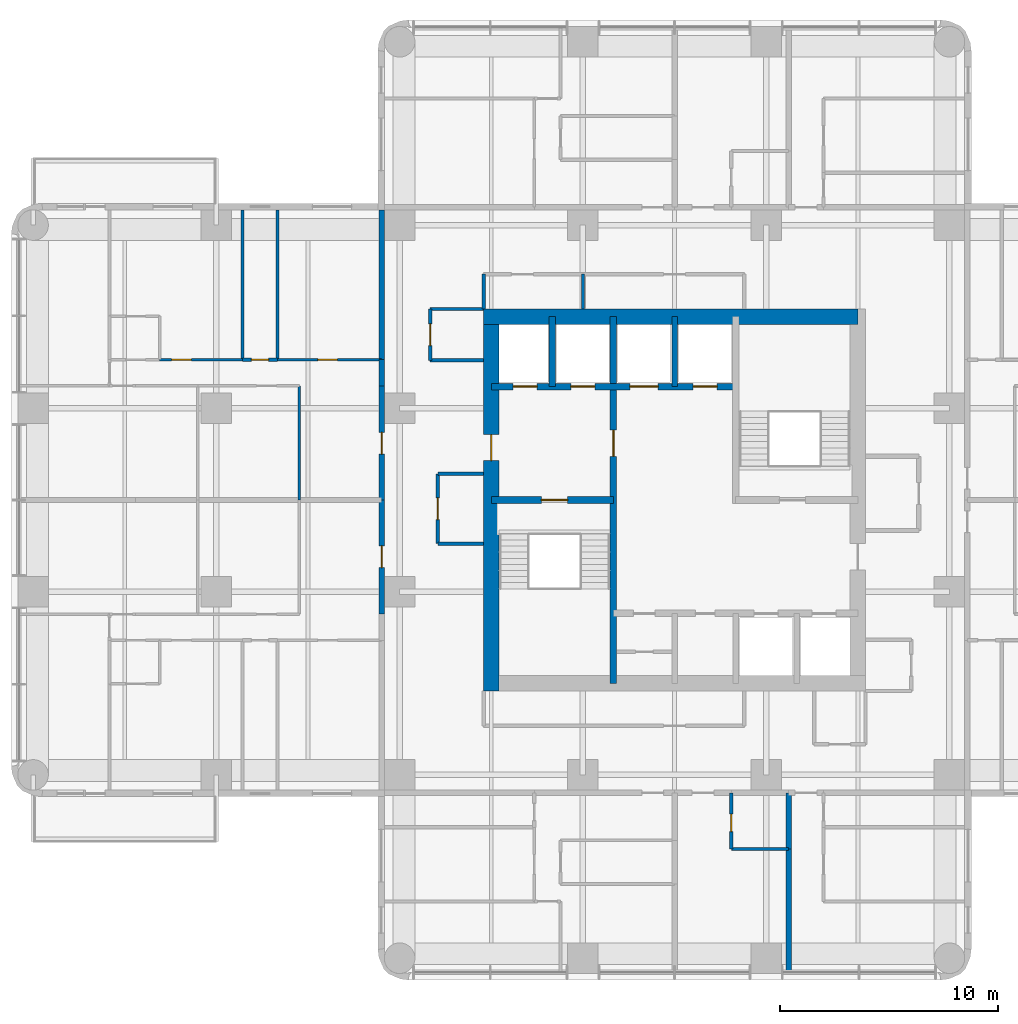
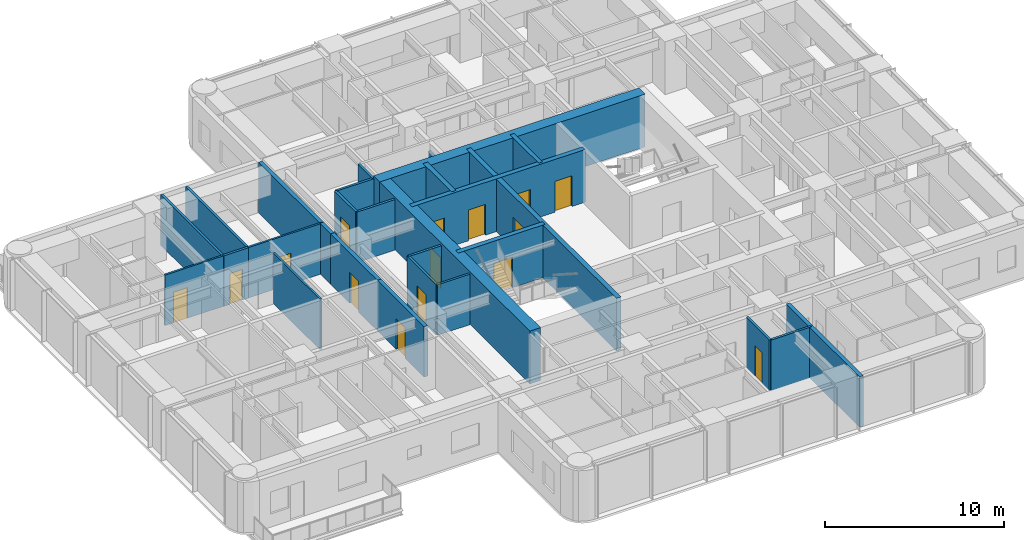
# One storey, part 6 of 11: 29 walls, 15 doors, 15 openings.
"""IFC4 building model written with IfcOpenShell, lengths in metres."""

from ifc_helpers import new_model, si_unit, direction, frame, frame_2d, origin, place, context, subcontext, project, spatial, rectangle, extrude, material, layer, layer_set, type_object, element, fill, save


model = new_model("IFC4")

# Units and contexts
model_context = context("Model", 3, precision=1e-05, world=origin(), true_north=direction((0.0, 1.0)))
body_context = subcontext(model_context, "Body", "Model", "MODEL_VIEW")
ifc_project = project(units=[si_unit("LENGTHUNIT", "METRE"), si_unit("AREAUNIT", "SQUARE_METRE"), si_unit("VOLUMEUNIT", "CUBIC_METRE"), si_unit("PLANEANGLEUNIT", "RADIAN"), si_unit("MASSUNIT", "GRAM", prefix="KILO")], contexts=[model_context])

# Site, building, storey
site_placement = place(None, origin())
site = spatial("IfcSite", under=ifc_project, at=site_placement, CompositionType="ELEMENT")
building_placement = place(site_placement, origin())
building = spatial("IfcBuilding", under=site, at=building_placement, Name="Torre Alcanfor", CompositionType="ELEMENT")
storey_placement = place(building_placement, frame((0.0, 0.0, 204.89990234375)))
storey = spatial("IfcBuildingStorey", under=building, at=storey_placement, Name="L53", CompositionType="ELEMENT", Elevation=204.89990234375)

# Wall, opening, door
ifc_material_1 = material(Name="Concrete block masonry, hollow blocks NMX-C-404 9 MPa", Category="masonry")
ifc_layer_1 = layer(ifc_material_1, 0.25)
ifc_layer_set_1 = layer_set([ifc_layer_1], Name="Apartment entrance wall 250 EI 60")
wall_type_1 = type_object("IfcWallType", Name="Apartment entrance wall 250 EI 60", PredefinedType="PARTITIONING", material=ifc_layer_set_1)
wall_1_placement = place(storey_placement, frame((15.97509765625, 24.1708984375, 0.0), z_axis=(0.0, 0.0, 1.0), x_axis=(0.0, 1.0, 0.0)))
wall_1 = element("IfcWall", 1, at=wall_1_placement, inside=storey, type_object=wall_type_1, Name="Partition L53-CORR / L53-W1-ZAG", PredefinedType="PARTITIONING", context=body_context, shape_type="SweptSolid", body=[
    extrude(rectangle(XDim=5.22900390625, YDim=0.25, at=frame_2d((2.614501953125, 0.0))), origin(), (0.0, 0.0, 1.0), 3.4501953125),
])
opening_1_placement = place(wall_1_placement, frame((2.12890625, 0.0, 0.0)))
opening_1 = element("IfcOpeningElement", 2, at=opening_1_placement, cuts=wall_1, Name="Opening D-A1", PredefinedType="OPENING", context=body_context, shape_type="SweptSolid", body=[
    extrude(rectangle(XDim=1.0, YDim=2.10009765625, at=frame_2d((0.5, 1.050048828125))), frame((0.0, 0.135009765625, 0.0), z_axis=(0.0, -1.0, 0.0), x_axis=(1.0, 0.0, 0.0)), (0.0, 0.0, 1.0), 0.27001953125),
])
ifc_material_2 = material(Name="Galvanised steel sheet ASTM A653", Category="steel")
door_type_1 = type_object("IfcDoorType", Name="Apartment entrance door FD60 1000x2100", OperationType="SINGLE_SWING_LEFT", PredefinedType="DOOR", material=ifc_material_2)
door_1_placement = place(opening_1_placement, origin())
door_1 = element("IfcDoor", 3, at=door_1_placement, inside=storey, type_object=door_type_1, Name="Apartment entrance L53-W1", OperationType="SINGLE_SWING_RIGHT", OverallHeight=2.10009765625, OverallWidth=1.0, PredefinedType="DOOR", context=body_context, shape_type="SweptSolid", body=[
    extrude(rectangle(XDim=1.0, YDim=2.10009765625, at=frame_2d((0.5, 1.050048828125))), frame((0.0, 0.02490234375, 0.0), z_axis=(0.0, -1.0, 0.0), x_axis=(1.0, 0.0, 0.0)), (0.0, 0.0, 1.0), 0.050048828125),
])
fill(opening_1, door_1)

wall_2_placement = place(storey_placement, frame((15.97509765625, 29.39990234375, 0.0), z_axis=(0.0, 0.0, 1.0), x_axis=(0.0, 1.0, 0.0)))
wall_2 = element("IfcWall", 4, at=wall_2_placement, inside=storey, type_object=wall_type_1, Name="Partition L53-CORR / L53-W2-ZAG", PredefinedType="PARTITIONING", context=body_context, shape_type="SweptSolid", body=[
    extrude(rectangle(XDim=5.22900390625, YDim=0.25, at=frame_2d((2.614501953125, 0.0))), origin(), (0.0, 0.0, 1.0), 3.4501953125),
])
opening_2_placement = place(wall_2_placement, frame((2.10009765625, 0.0, 0.0)))
opening_2 = element("IfcOpeningElement", 5, at=opening_2_placement, cuts=wall_2, Name="Opening D-A1", PredefinedType="OPENING", context=body_context, shape_type="SweptSolid", body=[
    extrude(rectangle(XDim=1.0, YDim=2.10009765625, at=frame_2d((0.5, 1.050048828125))), frame((0.0, 0.135009765625, 0.0), z_axis=(0.0, -1.0, 0.0), x_axis=(1.0, 0.0, 0.0)), (0.0, 0.0, 1.0), 0.27001953125),
])
door_2_placement = place(opening_2_placement, origin())
door_2 = element("IfcDoor", 6, at=door_2_placement, inside=storey, type_object=door_type_1, Name="Apartment entrance L53-W2", OperationType="SINGLE_SWING_LEFT", OverallHeight=2.10009765625, OverallWidth=1.0, PredefinedType="DOOR", context=body_context, shape_type="SweptSolid", body=[
    extrude(rectangle(XDim=1.0, YDim=2.10009765625, at=frame_2d((0.5, 1.050048828125))), frame((0.0, 0.02490234375, 0.0), z_axis=(0.0, -1.0, 0.0), x_axis=(1.0, 0.0, 0.0)), (0.0, 0.0, 1.0), 0.050048828125),
])
fill(opening_2, door_2)

# Walls
wall_3_placement = place(storey_placement, frame((15.97509765625, 34.62890625, 0.0), z_axis=(0.0, 0.0, 1.0), x_axis=(0.0, 1.0, 0.0)))
element("IfcWall", 7, at=wall_3_placement, inside=storey, type_object=wall_type_1, Name="Partition L53-CORR / L53-W2-HALL", PredefinedType="PARTITIONING", context=body_context, shape_type="SweptSolid", body=[
    extrude(rectangle(XDim=1.2001953125, YDim=0.25, at=frame_2d((0.60009765625, 0.0))), origin(), (0.0, 0.0, 1.0), 3.4501953125),
])
wall_4_placement = place(storey_placement, frame((15.97509765625, 35.8291015625, 0.0), z_axis=(0.0, 0.0, 1.0), x_axis=(0.0, 1.0, 0.0)))
element("IfcWall", 8, at=wall_4_placement, inside=storey, type_object=wall_type_1, Name="Partition L53-CORR / L53-W2-BED2", PredefinedType="PARTITIONING", context=body_context, shape_type="SweptSolid", body=[
    extrude(rectangle(XDim=6.870849609375, YDim=0.25, at=frame_2d((3.435546875, 0.0))), origin(), (0.0, 0.0, 1.0), 3.4501953125),
])
ifc_material_3 = material(Name="Gypsum board on steel studs", Category="steel")
ifc_layer_2 = layer(ifc_material_3, 0.1201171875)
ifc_layer_set_2 = layer_set([ifc_layer_2], Name="Apartment partition 120")
wall_type_2 = type_object("IfcWallType", Name="Apartment partition 120", PredefinedType="PARTITIONING", material=ifc_layer_set_2)
wall_5_placement = place(storey_placement, frame((12.199951171875, 29.39990234375, 0.0), z_axis=(0.0, 0.0, 1.0), x_axis=(0.0, 1.0, 0.0)))
element("IfcWall", 9, at=wall_5_placement, inside=storey, type_object=wall_type_2, Name="Partition L53-W2-ZAG / L53-W2-FAMILY", PredefinedType="PARTITIONING", context=body_context, shape_type="SweptSolid", body=[
    extrude(rectangle(XDim=5.22900390625, YDim=0.1201171875, at=frame_2d((2.614501953125, 0.0))), origin(), (0.0, 0.0, 1.0), 3.4501953125),
])

# Wall, opening, door
wall_6_placement = place(storey_placement, frame((11.199951171875, 35.8291015625, 0.0), z_axis=(0.0, 0.0, 1.0), x_axis=(1.0, 0.0, 0.0)))
wall_6 = element("IfcWall", 10, at=wall_6_placement, inside=storey, type_object=wall_type_2, Name="Partition L53-W2-HALL / L53-W2-BED2", PredefinedType="PARTITIONING", context=body_context, shape_type="SweptSolid", body=[
    extrude(rectangle(XDim=4.775146484375, YDim=0.1201171875, at=frame_2d((2.3876953125, 0.0))), origin(), (0.0, 0.0, 1.0), 3.4501953125),
])
opening_3_placement = place(wall_6_placement, frame((1.85009765625, 0.0, 0.0)))
opening_3 = element("IfcOpeningElement", 11, at=opening_3_placement, cuts=wall_6, Name="Opening D-R1", PredefinedType="OPENING", context=body_context, shape_type="SweptSolid", body=[
    extrude(rectangle(XDim=0.89990234375, YDim=2.10009765625, at=frame_2d((0.449951171875, 1.050048828125))), frame((0.0, 0.070068359375, 0.0), z_axis=(0.0, -1.0, 0.0), x_axis=(1.0, 0.0, 0.0)), (0.0, 0.0, 1.0), 0.14013671875),
])
ifc_material_4 = material(Name="Timber", Category="wood")
door_type_2 = type_object("IfcDoorType", Name="Internal door 900x2100", OperationType="SINGLE_SWING_LEFT", PredefinedType="DOOR", material=ifc_material_4)
door_3_placement = place(opening_3_placement, origin())
door_3 = element("IfcDoor", 12, at=door_3_placement, inside=storey, type_object=door_type_2, Name="Door L53-W2 bed2", OperationType="SINGLE_SWING_LEFT", OverallHeight=2.10009765625, OverallWidth=0.89990234375, PredefinedType="DOOR", context=body_context, shape_type="SweptSolid", body=[
    extrude(rectangle(XDim=0.89990234375, YDim=2.10009765625, at=frame_2d((0.449951171875, 1.050048828125))), frame((0.0, 0.02490234375, 0.0), z_axis=(0.0, -1.0, 0.0), x_axis=(1.0, 0.0, 0.0)), (0.0, 0.0, 1.0), 0.050048828125),
])
fill(opening_3, door_3)

wall_7_placement = place(storey_placement, frame((5.800048828125, 35.8291015625, 0.0), z_axis=(0.0, 0.0, 1.0), x_axis=(1.0, 0.0, 0.0)))
wall_7 = element("IfcWall", 13, at=wall_7_placement, inside=storey, type_object=wall_type_2, Name="Partition L53-W2-HALL / L53-W2-MASTER", PredefinedType="PARTITIONING", context=body_context, shape_type="SweptSolid", body=[
    extrude(rectangle(XDim=3.800048828125, YDim=0.1201171875, at=frame_2d((1.89990234375, 0.0))), origin(), (0.0, 0.0, 1.0), 3.4501953125),
])
opening_4_placement = place(wall_7_placement, frame((0.550048828125, 0.0, 0.0)))
opening_4 = element("IfcOpeningElement", 14, at=opening_4_placement, cuts=wall_7, Name="Opening D-R1", PredefinedType="OPENING", context=body_context, shape_type="SweptSolid", body=[
    extrude(rectangle(XDim=0.89990234375, YDim=2.10009765625, at=frame_2d((0.449951171875, 1.050048828125))), frame((0.0, 0.070068359375, 0.0), z_axis=(0.0, -1.0, 0.0), x_axis=(1.0, 0.0, 0.0)), (0.0, 0.0, 1.0), 0.14013671875),
])
door_4_placement = place(opening_4_placement, origin())
door_4 = element("IfcDoor", 15, at=door_4_placement, inside=storey, type_object=door_type_2, Name="Door L53-W2 master", OperationType="SINGLE_SWING_LEFT", OverallHeight=2.10009765625, OverallWidth=0.89990234375, PredefinedType="DOOR", context=body_context, shape_type="SweptSolid", body=[
    extrude(rectangle(XDim=0.89990234375, YDim=2.10009765625, at=frame_2d((0.449951171875, 1.050048828125))), frame((0.0, 0.02490234375, 0.0), z_axis=(0.0, -1.0, 0.0), x_axis=(1.0, 0.0, 0.0)), (0.0, 0.0, 1.0), 0.050048828125),
])
fill(opening_4, door_4)

ifc_material_5 = material(Name="Concrete f'c 70 MPa", Category="concrete")
ifc_layer_3 = layer(ifc_material_5, 0.300048828125)
ifc_layer_set_3 = layer_set([ifc_layer_3], Name="Core inner wall 300 f'c70")
wall_type_3 = type_object("IfcWallType", Name="Core inner wall 300 f'c70", PredefinedType="SHEAR", material=ifc_layer_set_3)
wall_8_placement = place(storey_placement, frame((26.60009765625, 21.0, 0.0), z_axis=(0.0, 0.0, 1.0), x_axis=(0.0, 1.0, 0.0)))
wall_8 = element("IfcWall", 16, at=wall_8_placement, inside=storey, type_object=wall_type_3, Name="Core wall X266 L53", PredefinedType="SHEAR", context=body_context, shape_type="SweptSolid", body=[
    extrude(rectangle(XDim=16.800048828125, YDim=0.300048828125, at=frame_2d((8.39990234375, 0.0))), origin(), (0.0, 0.0, 1.0), 3.60009765625),
])
opening_5_placement = place(wall_8_placement, frame((10.39990234375, 0.0, 0.0)))
opening_5 = element("IfcOpeningElement", 17, at=opening_5_placement, cuts=wall_8, Name="Opening D-L1", PredefinedType="OPENING", context=body_context, shape_type="SweptSolid", body=[
    extrude(rectangle(XDim=1.199951171875, YDim=2.10009765625, at=frame_2d((0.60009765625, 1.050048828125))), frame((0.0, 0.159912109375, 0.0), z_axis=(0.0, -1.0, 0.0), x_axis=(1.0, 0.0, 0.0)), (0.0, 0.0, 1.0), 0.320068359375),
])
ifc_material_6 = material(Name="Galvanised steel sheet ASTM A653", Category="steel")
door_type_3 = type_object("IfcDoorType", Name="Lobby door FD120 1200x2100", OperationType="SINGLE_SWING_LEFT", PredefinedType="DOOR", material=ifc_material_6)
door_5_placement = place(opening_5_placement, origin())
door_5 = element("IfcDoor", 18, at=door_5_placement, inside=storey, type_object=door_type_3, Name="Lift lobby door L53", OperationType="SINGLE_SWING_LEFT", OverallHeight=2.10009765625, OverallWidth=1.199951171875, PredefinedType="DOOR", context=body_context, shape_type="SweptSolid", body=[
    extrude(rectangle(XDim=1.199951171875, YDim=2.10009765625, at=frame_2d((0.60009765625, 1.050048828125))), frame((0.0, 0.02490234375, 0.0), z_axis=(0.0, -1.0, 0.0), x_axis=(1.0, 0.0, 0.0)), (0.0, 0.0, 1.0), 0.050048828125),
])
fill(opening_5, door_5)

wall_9_placement = place(storey_placement, frame((21.0, 29.39990234375, 0.0), z_axis=(0.0, 0.0, 1.0), x_axis=(1.0, 0.0, 0.0)))
wall_9 = element("IfcWall", 19, at=wall_9_placement, inside=storey, type_object=wall_type_3, Name="Core wall Y294W L53", PredefinedType="SHEAR", context=body_context, shape_type="SweptSolid", body=[
    extrude(rectangle(XDim=5.60009765625, YDim=0.300048828125, at=frame_2d((2.800048828125, 0.0))), origin(), (0.0, 0.0, 1.0), 3.60009765625),
])
opening_6_placement = place(wall_9_placement, frame((2.300048828125, 0.0, 0.0)))
opening_6 = element("IfcOpeningElement", 20, at=opening_6_placement, cuts=wall_9, Name="Opening D-S2", PredefinedType="OPENING", context=body_context, shape_type="SweptSolid", body=[
    extrude(rectangle(XDim=1.199951171875, YDim=2.10009765625, at=frame_2d((0.60009765625, 1.050048828125))), frame((0.0, 0.159912109375, 0.0), z_axis=(0.0, -1.0, 0.0), x_axis=(1.0, 0.0, 0.0)), (0.0, 0.0, 1.0), 0.320068359375),
])
ifc_material_7 = material(Name="Galvanised steel sheet ASTM A653", Category="steel")
door_type_4 = type_object("IfcDoorType", Name="Stair enclosure door FD120 1200x2100", OperationType="SINGLE_SWING_LEFT", PredefinedType="DOOR", material=ifc_material_7)
door_6_placement = place(opening_6_placement, frame((1.199951171875, 0.0, 0.0), z_axis=(0.0, 0.0, 1.0), x_axis=(-1.0, 0.0, 0.0)))
door_6 = element("IfcDoor", 21, at=door_6_placement, inside=storey, type_object=door_type_4, Name="Stair S1 door L53", OperationType="SINGLE_SWING_LEFT", OverallHeight=2.10009765625, OverallWidth=1.199951171875, PredefinedType="DOOR", context=body_context, shape_type="SweptSolid", body=[
    extrude(rectangle(XDim=1.199951171875, YDim=2.10009765625, at=frame_2d((0.599853515625, 1.050048828125))), frame((0.0, 0.025146484375, 0.0), z_axis=(0.0, -1.0, 0.0), x_axis=(1.0, 0.0, 0.0)), (0.0, 0.0, 1.0), 0.050048828125),
])
fill(opening_6, door_6)

# Wall, openings, doors
wall_10_placement = place(storey_placement, frame((21.0, 34.60009765625, 0.0), z_axis=(0.0, 0.0, 1.0), x_axis=(1.0, 0.0, 0.0)))
wall_10 = element("IfcWall", 22, at=wall_10_placement, inside=storey, type_object=wall_type_3, Name="Core wall Y346 L53", PredefinedType="SHEAR", context=body_context, shape_type="SweptSolid", body=[
    extrude(rectangle(XDim=11.199951171875, YDim=0.300048828125, at=frame_2d((5.60009765625, 0.0))), origin(), (0.0, 0.0, 1.0), 3.60009765625),
])
opening_7_placement = place(wall_10_placement, frame((9.25, 0.0, 0.0)))
opening_7 = element("IfcOpeningElement", 23, at=opening_7_placement, cuts=wall_10, Name="Opening LD1", PredefinedType="OPENING", context=body_context, shape_type="SweptSolid", body=[
    extrude(rectangle(XDim=1.10009765625, YDim=2.10009765625, at=frame_2d((0.550048828125, 1.050048828125))), frame((0.0, 0.159912109375, 0.0), z_axis=(0.0, -1.0, 0.0), x_axis=(1.0, 0.0, 0.0)), (0.0, 0.0, 1.0), 0.320068359375),
])
opening_8_placement = place(wall_10_placement, frame((1.0, 0.0, 0.0)))
opening_8 = element("IfcOpeningElement", 24, at=opening_8_placement, cuts=wall_10, Name="Opening LD2", PredefinedType="OPENING", context=body_context, shape_type="SweptSolid", body=[
    extrude(rectangle(XDim=1.10009765625, YDim=2.10009765625, at=frame_2d((0.550048828125, 1.050048828125))), frame((0.0, 0.159912109375, 0.0), z_axis=(0.0, -1.0, 0.0), x_axis=(1.0, 0.0, 0.0)), (0.0, 0.0, 1.0), 0.320068359375),
])
opening_9_placement = place(wall_10_placement, frame((3.64990234375, 0.0, 0.0)))
opening_9 = element("IfcOpeningElement", 25, at=opening_9_placement, cuts=wall_10, Name="Opening LD2", PredefinedType="OPENING", context=body_context, shape_type="SweptSolid", body=[
    extrude(rectangle(XDim=1.10009765625, YDim=2.10009765625, at=frame_2d((0.550048828125, 1.050048828125))), frame((0.0, 0.159912109375, 0.0), z_axis=(0.0, -1.0, 0.0), x_axis=(1.0, 0.0, 0.0)), (0.0, 0.0, 1.0), 0.320068359375),
])
opening_10_placement = place(wall_10_placement, frame((6.35009765625, 0.0, 0.0)))
opening_10 = element("IfcOpeningElement", 26, at=opening_10_placement, cuts=wall_10, Name="Opening LD3", PredefinedType="OPENING", context=body_context, shape_type="SweptSolid", body=[
    extrude(rectangle(XDim=1.300048828125, YDim=2.10009765625, at=frame_2d((0.64990234375, 1.050048828125))), frame((0.0, 0.159912109375, 0.0), z_axis=(0.0, -1.0, 0.0), x_axis=(1.0, 0.0, 0.0)), (0.0, 0.0, 1.0), 0.320068359375),
])
ifc_material_8 = material(Name="Galvanised steel sheet ASTM A653", Category="steel")
door_type_5 = type_object("IfcDoorType", Name="Firefighting lift landing door 1100x2100", OperationType="DOUBLE_DOOR_SLIDING", PredefinedType="DOOR", material=ifc_material_8)
door_7_placement = place(opening_8_placement, origin())
door_7 = element("IfcDoor", 27, at=door_7_placement, inside=storey, type_object=door_type_5, Name="Lift landing door FL1 L53", OperationType="DOUBLE_DOOR_SLIDING", OverallHeight=2.10009765625, OverallWidth=1.10009765625, PredefinedType="DOOR", context=body_context, shape_type="SweptSolid", body=[
    extrude(rectangle(XDim=1.10009765625, YDim=2.10009765625, at=frame_2d((0.550048828125, 1.050048828125))), frame((0.0, 0.02490234375, 0.0), z_axis=(0.0, -1.0, 0.0), x_axis=(1.0, 0.0, 0.0)), (0.0, 0.0, 1.0), 0.050048828125),
])
fill(opening_8, door_7)
door_8_placement = place(opening_9_placement, origin())
door_8 = element("IfcDoor", 28, at=door_8_placement, inside=storey, type_object=door_type_5, Name="Lift landing door FL2 L53", OperationType="DOUBLE_DOOR_SLIDING", OverallHeight=2.10009765625, OverallWidth=1.10009765625, PredefinedType="DOOR", context=body_context, shape_type="SweptSolid", body=[
    extrude(rectangle(XDim=1.10009765625, YDim=2.10009765625, at=frame_2d((0.550048828125, 1.050048828125))), frame((0.0, 0.02490234375, 0.0), z_axis=(0.0, -1.0, 0.0), x_axis=(1.0, 0.0, 0.0)), (0.0, 0.0, 1.0), 0.050048828125),
])
fill(opening_9, door_8)
ifc_material_9 = material(Name="Galvanised steel sheet ASTM A653", Category="steel")
door_type_6 = type_object("IfcDoorType", Name="Lift landing door 1100x2100", OperationType="DOUBLE_DOOR_SLIDING", PredefinedType="DOOR", material=ifc_material_9)
door_9_placement = place(opening_7_placement, origin())
door_9 = element("IfcDoor", 29, at=door_9_placement, inside=storey, type_object=door_type_6, Name="Lift landing door PA5 L53", OperationType="DOUBLE_DOOR_SLIDING", OverallHeight=2.10009765625, OverallWidth=1.10009765625, PredefinedType="DOOR", context=body_context, shape_type="SweptSolid", body=[
    extrude(rectangle(XDim=1.10009765625, YDim=2.10009765625, at=frame_2d((0.550048828125, 1.050048828125))), frame((0.0, 0.02490234375, 0.0), z_axis=(0.0, -1.0, 0.0), x_axis=(1.0, 0.0, 0.0)), (0.0, 0.0, 1.0), 0.050048828125),
])
fill(opening_7, door_9)
ifc_material_10 = material(Name="Galvanised steel sheet ASTM A653", Category="steel")
door_type_7 = type_object("IfcDoorType", Name="Service lift landing door 1300x2100", OperationType="DOUBLE_DOOR_SLIDING", PredefinedType="DOOR", material=ifc_material_10)
door_10_placement = place(opening_10_placement, origin())
door_10 = element("IfcDoor", 30, at=door_10_placement, inside=storey, type_object=door_type_7, Name="Lift landing door SL1 L53", OperationType="DOUBLE_DOOR_SLIDING", OverallHeight=2.10009765625, OverallWidth=1.300048828125, PredefinedType="DOOR", context=body_context, shape_type="SweptSolid", body=[
    extrude(rectangle(XDim=1.300048828125, YDim=2.10009765625, at=frame_2d((0.64990234375, 1.050048828125))), frame((0.0, 0.02490234375, 0.0), z_axis=(0.0, -1.0, 0.0), x_axis=(1.0, 0.0, 0.0)), (0.0, 0.0, 1.0), 0.050048828125),
])
fill(opening_10, door_10)

# Walls
wall_11_placement = place(storey_placement, frame((23.800048828125, 34.60009765625, 0.0), z_axis=(0.0, 0.0, 1.0), x_axis=(0.0, 1.0, 0.0)))
element("IfcWall", 31, at=wall_11_placement, inside=storey, type_object=wall_type_3, Name="Core wall X238 L53", PredefinedType="SHEAR", context=body_context, shape_type="SweptSolid", body=[
    extrude(rectangle(XDim=3.199951171875, YDim=0.300048828125, at=frame_2d((1.60009765625, 0.0))), origin(), (0.0, 0.0, 1.0), 3.60009765625),
])
ifc_material_11 = material(Name="Concrete f'c 70 MPa", Category="concrete")
ifc_layer_4 = layer(ifc_material_11, 0.25)
ifc_layer_set_4 = layer_set([ifc_layer_4], Name="Core shaft wall 250 f'c70")
wall_type_4 = type_object("IfcWallType", Name="Core shaft wall 250 f'c70", PredefinedType="SHEAR", material=ifc_layer_set_4)
wall_12_placement = place(storey_placement, frame((29.39990234375, 34.60009765625, 0.0), z_axis=(0.0, 0.0, 1.0), x_axis=(0.0, 1.0, 0.0)))
element("IfcWall", 32, at=wall_12_placement, inside=storey, type_object=wall_type_4, Name="Core wall X294N L53", PredefinedType="SHEAR", context=body_context, shape_type="SweptSolid", body=[
    extrude(rectangle(XDim=3.199951171875, YDim=0.25, at=frame_2d((1.60009765625, 0.0))), origin(), (0.0, 0.0, 1.0), 3.60009765625),
])
ifc_material_12 = material(Name="Concrete f'c 70 MPa", Category="concrete")
ifc_layer_5 = layer(ifc_material_12, 0.699951171875)
ifc_layer_set_5 = layer_set([ifc_layer_5], Name="Core wall 700 f'c70")
wall_type_5 = type_object("IfcWallType", Name="Core wall 700 f'c70", PredefinedType="SHEAR", material=ifc_layer_set_5)
wall_13_placement = place(storey_placement, frame((37.800048828125, 37.800048828125, 0.0), z_axis=(0.0, 0.0, 1.0), x_axis=(-1.0, 0.0, 0.0)))
element("IfcWall", 33, at=wall_13_placement, inside=storey, type_object=wall_type_5, Name="Core wall OUT-N L53", PredefinedType="SHEAR", context=body_context, shape_type="SweptSolid", body=[
    extrude(rectangle(XDim=17.150146484375, YDim=0.699951171875, at=frame_2d((8.5751953125, 0.0))), origin(), (0.0, 0.0, 1.0), 3.60009765625),
])

# Wall, opening, door
wall_14_placement = place(storey_placement, frame((21.0, 37.800048828125, 0.0), z_axis=(0.0, 0.0, 1.0), x_axis=(0.0, -1.0, 0.0)))
wall_14 = element("IfcWall", 34, at=wall_14_placement, inside=storey, type_object=wall_type_5, Name="Core wall OUT-W L53", PredefinedType="SHEAR", context=body_context, shape_type="SweptSolid", body=[
    extrude(rectangle(XDim=17.150146484375, YDim=0.699951171875, at=frame_2d((8.5751953125, 0.0))), origin(), (0.0, 0.0, 1.0), 3.60009765625),
])
opening_11_placement = place(wall_14_placement, frame((5.39990234375, 0.0, 0.0)))
opening_11 = element("IfcOpeningElement", 35, at=opening_11_placement, cuts=wall_14, Name="Opening D-L1", PredefinedType="OPENING", context=body_context, shape_type="SweptSolid", body=[
    extrude(rectangle(XDim=1.199951171875, YDim=2.10009765625, at=frame_2d((0.60009765625, 1.050048828125))), frame((0.0, 0.35986328125, 0.0), z_axis=(0.0, -1.0, 0.0), x_axis=(1.0, 0.0, 0.0)), (0.0, 0.0, 1.0), 0.719970703125),
])
door_11_placement = place(opening_11_placement, origin())
door_11 = element("IfcDoor", 36, at=door_11_placement, inside=storey, type_object=door_type_3, Name="Firefighting lobby door L53", OperationType="SINGLE_SWING_LEFT", OverallHeight=2.10009765625, OverallWidth=1.199951171875, PredefinedType="DOOR", context=body_context, shape_type="SweptSolid", body=[
    extrude(rectangle(XDim=1.199951171875, YDim=2.10009765625, at=frame_2d((0.60009765625, 1.050048828125))), frame((0.0, 0.02490234375, 0.0), z_axis=(0.0, -1.0, 0.0), x_axis=(1.0, 0.0, 0.0)), (0.0, 0.0, 1.0), 0.050048828125),
])
fill(opening_11, door_11)

# Walls
ifc_material_13 = material(Name="Concrete block masonry, hollow blocks NMX-C-404 9 MPa", Category="masonry")
ifc_layer_6 = layer(ifc_material_13, 0.25)
ifc_layer_set_6 = layer_set([ifc_layer_6], Name="Party wall 250 EI 60")
wall_type_6 = type_object("IfcWallType", Name="Party wall 250 EI 60", PredefinedType="PARTITIONING", material=ifc_layer_set_6)
wall_15_placement = place(storey_placement, frame((34.62890625, 13.39990234375, 0.0), z_axis=(0.0, 0.0, 1.0), x_axis=(0.0, -1.0, 0.0)))
element("IfcWall", 37, at=wall_15_placement, inside=storey, type_object=wall_type_6, Name="Partition L53-S1A-STUDIO / L53-S1B-LIVING", PredefinedType="PARTITIONING", context=body_context, shape_type="SweptSolid", body=[
    extrude(rectangle(XDim=5.64990234375, YDim=0.25, at=frame_2d((2.824951171875, 0.0))), origin(), (0.0, 0.0, 1.0), 3.4501953125),
])
wall_16_placement = place(storey_placement, frame((34.62890625, 13.39990234375, 0.0), z_axis=(0.0, 0.0, 1.0), x_axis=(0.0, 1.0, 0.0)))
element("IfcWall", 38, at=wall_16_placement, inside=storey, type_object=wall_type_6, Name="Partition L53-S1A-BATH / L53-S1B-LIVING", PredefinedType="PARTITIONING", context=body_context, shape_type="SweptSolid", body=[
    extrude(rectangle(XDim=2.5751953125, YDim=0.25, at=frame_2d((1.28759765625, 0.0))), origin(), (0.0, 0.0, 1.0), 3.4501953125),
])
ifc_material_14 = material(Name="Concrete block masonry, hollow blocks NMX-C-404 9 MPa", Category="masonry")
ifc_layer_7 = layer(ifc_material_14, 0.14990234375)
ifc_layer_set_7 = layer_set([ifc_layer_7], Name="Residents' room partition 150")
wall_type_7 = type_object("IfcWallType", Name="Residents' room partition 150", PredefinedType="PARTITIONING", material=ifc_layer_set_7)
wall_17_placement = place(storey_placement, frame((20.64990234375, 39.75, 0.0), z_axis=(0.0, 0.0, 1.0), x_axis=(0.0, -1.0, 0.0)))
element("IfcWall", 39, at=wall_17_placement, inside=storey, type_object=wall_type_7, Name="Partition L53-CORR / L53-G01", PredefinedType="PARTITIONING", context=body_context, shape_type="SweptSolid", body=[
    extrude(rectangle(XDim=1.60009765625, YDim=0.14990234375, at=frame_2d((0.800048828125, 0.0))), origin(), (0.0, 0.0, 1.0), 3.4501953125),
])
wall_18_placement = place(storey_placement, frame((20.64990234375, 30.60009765625, 0.0), z_axis=(0.0, 0.0, 1.0), x_axis=(-1.0, 0.0, 0.0)))
element("IfcWall", 40, at=wall_18_placement, inside=storey, type_object=wall_type_7, Name="Partition L53-CORR / L53-G07", PredefinedType="PARTITIONING", context=body_context, shape_type="SweptSolid", body=[
    extrude(rectangle(XDim=2.099853515625, YDim=0.14990234375, at=frame_2d((1.0498046875, 0.0))), origin(), (0.0, 0.0, 1.0), 3.4501953125),
])

# Wall, opening, door
wall_19_placement = place(storey_placement, frame((18.550048828125, 30.60009765625, 0.0), z_axis=(0.0, 0.0, 1.0), x_axis=(0.0, -1.0, 0.0)))
wall_19 = element("IfcWall", 41, at=wall_19_placement, inside=storey, type_object=wall_type_7, Name="Partition L53-CORR / L53-G07", PredefinedType="PARTITIONING", context=body_context, shape_type="SweptSolid", body=[
    extrude(rectangle(XDim=3.2001953125, YDim=0.14990234375, at=frame_2d((1.60009765625, 0.0))), origin(), (0.0, 0.0, 1.0), 3.4501953125),
])
opening_12_placement = place(wall_19_placement, frame((1.10009765625, 0.0, 0.0)))
opening_12 = element("IfcOpeningElement", 42, at=opening_12_placement, cuts=wall_19, Name="Opening D-M1", PredefinedType="OPENING", context=body_context, shape_type="SweptSolid", body=[
    extrude(rectangle(XDim=1.0, YDim=2.10009765625, at=frame_2d((0.5, 1.050048828125))), frame((0.0, 0.0849609375, 0.0), z_axis=(0.0, -1.0, 0.0), x_axis=(1.0, 0.0, 0.0)), (0.0, 0.0, 1.0), 0.169921875),
])
ifc_material_15 = material(Name="Timber", Category="wood")
door_type_8 = type_object("IfcDoorType", Name="Residents' room door 1000x2100", OperationType="SINGLE_SWING_LEFT", PredefinedType="DOOR", material=ifc_material_15)
door_12_placement = place(opening_12_placement, origin())
door_12 = element("IfcDoor", 43, at=door_12_placement, inside=storey, type_object=door_type_8, Name="Door L53-G07 linen store", OperationType="SINGLE_SWING_LEFT", OverallHeight=2.10009765625, OverallWidth=1.0, PredefinedType="DOOR", context=body_context, shape_type="SweptSolid", body=[
    extrude(rectangle(XDim=1.0, YDim=2.10009765625, at=frame_2d((0.5, 1.050048828125))), frame((0.0, 0.02490234375, 0.0), z_axis=(0.0, -1.0, 0.0), x_axis=(1.0, 0.0, 0.0)), (0.0, 0.0, 1.0), 0.050048828125),
])
fill(opening_12, door_12)

# Walls
wall_20_placement = place(storey_placement, frame((18.550048828125, 27.39990234375, 0.0), z_axis=(0.0, 0.0, 1.0), x_axis=(1.0, 0.0, 0.0)))
element("IfcWall", 44, at=wall_20_placement, inside=storey, type_object=wall_type_7, Name="Partition L53-CORR / L53-G07", PredefinedType="PARTITIONING", context=body_context, shape_type="SweptSolid", body=[
    extrude(rectangle(XDim=2.099853515625, YDim=0.14990234375, at=frame_2d((1.0498046875, 0.0))), origin(), (0.0, 0.0, 1.0), 3.4501953125),
])
wall_21_placement = place(storey_placement, frame((20.64990234375, 38.14990234375, 0.0), z_axis=(0.0, 0.0, 1.0), x_axis=(-1.0, 0.0, 0.0)))
element("IfcWall", 45, at=wall_21_placement, inside=storey, type_object=wall_type_7, Name="Partition L53-CORR / L53-G08", PredefinedType="PARTITIONING", context=body_context, shape_type="SweptSolid", body=[
    extrude(rectangle(XDim=2.449951171875, YDim=0.14990234375, at=frame_2d((1.22509765625, 0.0))), origin(), (0.0, 0.0, 1.0), 3.4501953125),
])

# Wall, opening, door
wall_22_placement = place(storey_placement, frame((18.199951171875, 38.14990234375, 0.0), z_axis=(0.0, 0.0, 1.0), x_axis=(0.0, -1.0, 0.0)))
wall_22 = element("IfcWall", 46, at=wall_22_placement, inside=storey, type_object=wall_type_7, Name="Partition L53-CORR / L53-G08", PredefinedType="PARTITIONING", context=body_context, shape_type="SweptSolid", body=[
    extrude(rectangle(XDim=2.349853515625, YDim=0.14990234375, at=frame_2d((1.1748046875, 0.0))), origin(), (0.0, 0.0, 1.0), 3.4501953125),
])
opening_13_placement = place(wall_22_placement, frame((0.675048828125, 0.0, 0.0)))
opening_13 = element("IfcOpeningElement", 47, at=opening_13_placement, cuts=wall_22, Name="Opening D-M1", PredefinedType="OPENING", context=body_context, shape_type="SweptSolid", body=[
    extrude(rectangle(XDim=1.0, YDim=2.10009765625, at=frame_2d((0.5, 1.050048828125))), frame((0.0, 0.0849609375, 0.0), z_axis=(0.0, -1.0, 0.0), x_axis=(1.0, 0.0, 0.0)), (0.0, 0.0, 1.0), 0.169921875),
])
door_13_placement = place(opening_13_placement, origin())
door_13 = element("IfcDoor", 48, at=door_13_placement, inside=storey, type_object=door_type_8, Name="Door L53-G08 residents' lockers", OperationType="SINGLE_SWING_LEFT", OverallHeight=2.10009765625, OverallWidth=1.0, PredefinedType="DOOR", context=body_context, shape_type="SweptSolid", body=[
    extrude(rectangle(XDim=1.0, YDim=2.10009765625, at=frame_2d((0.5, 1.050048828125))), frame((0.0, 0.02490234375, 0.0), z_axis=(0.0, -1.0, 0.0), x_axis=(1.0, 0.0, 0.0)), (0.0, 0.0, 1.0), 0.050048828125),
])
fill(opening_13, door_13)

# Walls
wall_23_placement = place(storey_placement, frame((18.199951171875, 35.800048828125, 0.0), z_axis=(0.0, 0.0, 1.0), x_axis=(1.0, 0.0, 0.0)))
element("IfcWall", 49, at=wall_23_placement, inside=storey, type_object=wall_type_7, Name="Partition L53-CORR / L53-G08", PredefinedType="PARTITIONING", context=body_context, shape_type="SweptSolid", body=[
    extrude(rectangle(XDim=2.449951171875, YDim=0.14990234375, at=frame_2d((1.22509765625, 0.0))), origin(), (0.0, 0.0, 1.0), 3.4501953125),
])
wall_24_placement = place(storey_placement, frame((25.199951171875, 38.14990234375, 0.0), z_axis=(0.0, 0.0, 1.0), x_axis=(0.0, 1.0, 0.0)))
element("IfcWall", 50, at=wall_24_placement, inside=storey, type_object=wall_type_7, Name="Partition L53-G01 / L53-G02", PredefinedType="PARTITIONING", context=body_context, shape_type="SweptSolid", body=[
    extrude(rectangle(XDim=1.60009765625, YDim=0.14990234375, at=frame_2d((0.800048828125, 0.0))), origin(), (0.0, 0.0, 1.0), 2.766845703125),
])

# Wall, opening, door
ifc_material_16 = material(Name="Cement board on steel studs", Category="steel")
ifc_layer_8 = layer(ifc_material_16, 0.14990234375)
ifc_layer_set_8 = layer_set([ifc_layer_8], Name="Wet area partition 150")
wall_type_8 = type_object("IfcWallType", Name="Wet area partition 150", PredefinedType="PARTITIONING", material=ifc_layer_set_8)
wall_25_placement = place(storey_placement, frame((32.0, 15.97509765625, 0.0), z_axis=(0.0, 0.0, 1.0), x_axis=(0.0, -1.0, 0.0)))
wall_25 = element("IfcWall", 51, at=wall_25_placement, inside=storey, type_object=wall_type_8, Name="Partition L53-S1A-STUDIO / L53-S1A-BATH", PredefinedType="PARTITIONING", context=body_context, shape_type="SweptSolid", body=[
    extrude(rectangle(XDim=2.5751953125, YDim=0.14990234375, at=frame_2d((1.28759765625, 0.0))), origin(), (0.0, 0.0, 1.0), 3.4501953125),
])
opening_14_placement = place(wall_25_placement, frame((0.97509765625, 0.0, 0.0)))
opening_14 = element("IfcOpeningElement", 52, at=opening_14_placement, cuts=wall_25, Name="Opening D-R2", PredefinedType="OPENING", context=body_context, shape_type="SweptSolid", body=[
    extrude(rectangle(XDim=0.800048828125, YDim=2.10009765625, at=frame_2d((0.39990234375, 1.050048828125))), frame((0.0, 0.0849609375, 0.0), z_axis=(0.0, -1.0, 0.0), x_axis=(1.0, 0.0, 0.0)), (0.0, 0.0, 1.0), 0.169921875),
])
ifc_material_17 = material(Name="Timber", Category="wood")
door_type_9 = type_object("IfcDoorType", Name="Bathroom door 800x2100", OperationType="SINGLE_SWING_LEFT", PredefinedType="DOOR", material=ifc_material_17)
door_14_placement = place(opening_14_placement, origin())
door_14 = element("IfcDoor", 53, at=door_14_placement, inside=storey, type_object=door_type_9, Name="Door L53-S1A bath", OperationType="SINGLE_SWING_RIGHT", OverallHeight=2.10009765625, OverallWidth=0.800048828125, PredefinedType="DOOR", context=body_context, shape_type="SweptSolid", body=[
    extrude(rectangle(XDim=0.800048828125, YDim=2.10009765625, at=frame_2d((0.39990234375, 1.050048828125))), frame((0.0, 0.02490234375, 0.0), z_axis=(0.0, -1.0, 0.0), x_axis=(1.0, 0.0, 0.0)), (0.0, 0.0, 1.0), 0.050048828125),
])
fill(opening_14, door_14)

# Wall
wall_26_placement = place(storey_placement, frame((32.0, 13.39990234375, 0.0), z_axis=(0.0, 0.0, 1.0), x_axis=(1.0, 0.0, 0.0)))
element("IfcWall", 54, at=wall_26_placement, inside=storey, type_object=wall_type_8, Name="Partition L53-S1A-STUDIO / L53-S1A-BATH", PredefinedType="PARTITIONING", context=body_context, shape_type="SweptSolid", body=[
    extrude(rectangle(XDim=2.62890625, YDim=0.14990234375, at=frame_2d((1.314453125, 0.0))), origin(), (0.0, 0.0, 1.0), 3.4501953125),
])

# Wall, opening, door
wall_27_placement = place(storey_placement, frame((9.60009765625, 35.8291015625, 0.0), z_axis=(0.0, 0.0, 1.0), x_axis=(1.0, 0.0, 0.0)))
wall_27 = element("IfcWall", 55, at=wall_27_placement, inside=storey, type_object=wall_type_8, Name="Partition L53-W2-HALL / L53-W2-BATH1", PredefinedType="PARTITIONING", context=body_context, shape_type="SweptSolid", body=[
    extrude(rectangle(XDim=1.599853515625, YDim=0.14990234375, at=frame_2d((0.7998046875, 0.0))), origin(), (0.0, 0.0, 1.0), 3.4501953125),
])
opening_15_placement = place(wall_27_placement, frame((0.39990234375, 0.0, 0.0)))
opening_15 = element("IfcOpeningElement", 56, at=opening_15_placement, cuts=wall_27, Name="Opening D-R2", PredefinedType="OPENING", context=body_context, shape_type="SweptSolid", body=[
    extrude(rectangle(XDim=0.800048828125, YDim=2.10009765625, at=frame_2d((0.39990234375, 1.050048828125))), frame((0.0, 0.0849609375, 0.0), z_axis=(0.0, -1.0, 0.0), x_axis=(1.0, 0.0, 0.0)), (0.0, 0.0, 1.0), 0.169921875),
])
door_15_placement = place(opening_15_placement, origin())
door_15 = element("IfcDoor", 57, at=door_15_placement, inside=storey, type_object=door_type_9, Name="Door L53-W2 bath1", OperationType="SINGLE_SWING_LEFT", OverallHeight=2.10009765625, OverallWidth=0.800048828125, PredefinedType="DOOR", context=body_context, shape_type="SweptSolid", body=[
    extrude(rectangle(XDim=0.800048828125, YDim=2.10009765625, at=frame_2d((0.39990234375, 1.050048828125))), frame((0.0, 0.02490234375, 0.0), z_axis=(0.0, -1.0, 0.0), x_axis=(1.0, 0.0, 0.0)), (0.0, 0.0, 1.0), 0.050048828125),
])
fill(opening_15, door_15)

# Walls
for number, where, z_axis, x_axis, name in (
    (58, (11.199951171875, 35.8291015625, 0.0), (0.0, 0.0, 1.0), (0.0, 1.0, 0.0), "Partition L53-W2-BED2 / L53-W2-BATH1"),
    (59, (9.60009765625, 35.8291015625, 0.0), (0.0, 0.0, 1.0), (0.0, 1.0, 0.0), "Partition L53-W2-BATH1 / L53-W2-MASTER"),
):
    element("IfcWall", number, at=place(storey_placement, frame(where, z_axis=z_axis, x_axis=x_axis)), inside=storey, type_object=wall_type_8, Name=name, PredefinedType="PARTITIONING", context=body_context, shape_type="SweptSolid", body=[
        extrude(rectangle(XDim=6.870849609375, YDim=0.14990234375, at=frame_2d((3.435546875, 0.0))), origin(), (0.0, 0.0, 1.0), 3.4501953125),
    ])

save(model, "model.ifc")
